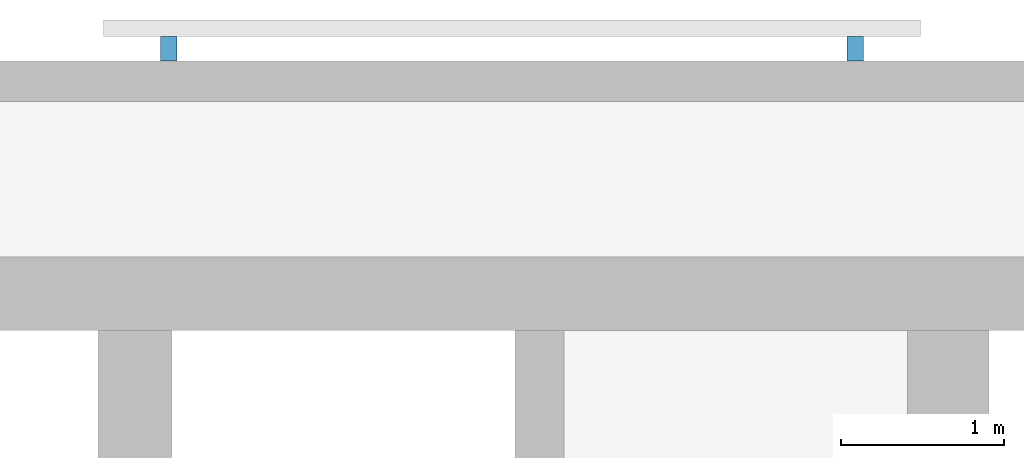
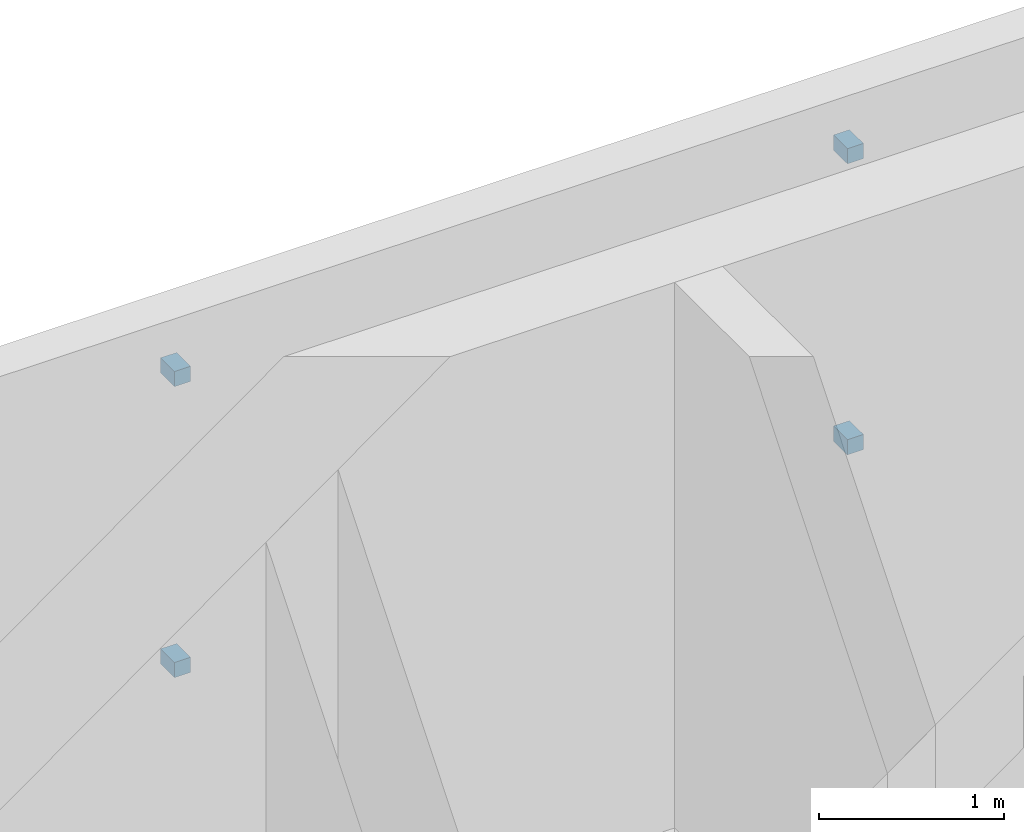
# One storey, part 11 of 14: 4 discrete accessories.
"""IFC4 building model written with IfcOpenShell, lengths in metres."""

from ifc_helpers import new_model, si_unit, direction, frame, origin, origin_2d, place, context, subcontext, project, spatial, rectangle, extrude, material, type_object, element, save


model = new_model("IFC4")

# Units and contexts
model_context = context("Model", 3, precision=1e-05, world=origin(), true_north=direction((0.0, 1.0)))
body_context = subcontext(model_context, "Body", "Model", "MODEL_VIEW")
ifc_project = project(units=[si_unit("LENGTHUNIT", "METRE"), si_unit("AREAUNIT", "SQUARE_METRE"), si_unit("VOLUMEUNIT", "CUBIC_METRE"), si_unit("PLANEANGLEUNIT", "RADIAN"), si_unit("MASSUNIT", "GRAM", prefix="KILO")], contexts=[model_context])

# Site, building, storey
site_placement = place(None, origin())
site = spatial("IfcSite", under=ifc_project, at=site_placement, CompositionType="ELEMENT")
building_placement = place(site_placement, origin())
building = spatial("IfcBuilding", under=site, at=building_placement, Name="Torana Hotel and Residences", CompositionType="ELEMENT")
storey_placement = place(building_placement, frame((0.0, 0.0, 38.39990234375)))
storey = spatial("IfcBuildingStorey", under=building, at=storey_placement, Name="L08", CompositionType="ELEMENT", Elevation=38.39990234375)

# Discrete accessories
ifc_material = material(Name="Steel S355", Category="steel")
discrete_accessory_type = type_object("IfcDiscreteAccessoryType", Name="SCREEN BRACKET 100", PredefinedType="BRACKET", material=ifc_material)
for number, where, z_axis, x_axis, name in (
    (1, (23.681396484375, 1.27490234375, 0.75), (0.0, 0.0, 1.0), (-1.0, 0.0, 0.0), "Screen bracket L08"),
    (2, (23.681396484375, 1.27490234375, 2.670166015625), (0.0, 0.0, 1.0), (-1.0, 0.0, 0.0), "Screen bracket L08"),
    (3, (19.4814453125, 1.27490234375, 0.75), (0.0, 0.0, 1.0), (-1.0, 0.0, 0.0), "Screen bracket L08"),
    (4, (19.4814453125, 1.27490234375, 2.670166015625), (0.0, 0.0, 1.0), (-1.0, 0.0, 0.0), "Screen bracket L08"),
):
    element("IfcDiscreteAccessory", number, at=place(storey_placement, frame(where, z_axis=z_axis, x_axis=x_axis)), inside=storey, type_object=discrete_accessory_type, Name=name, PredefinedType="BRACKET", context=body_context, shape_type="SweptSolid", body=[
        extrude(rectangle(XDim=0.10009765625, YDim=0.14990234375, at=origin_2d()), origin(), (0.0, 0.0, 1.0), 0.10009765625),
    ])

save(model, "model.ifc")
